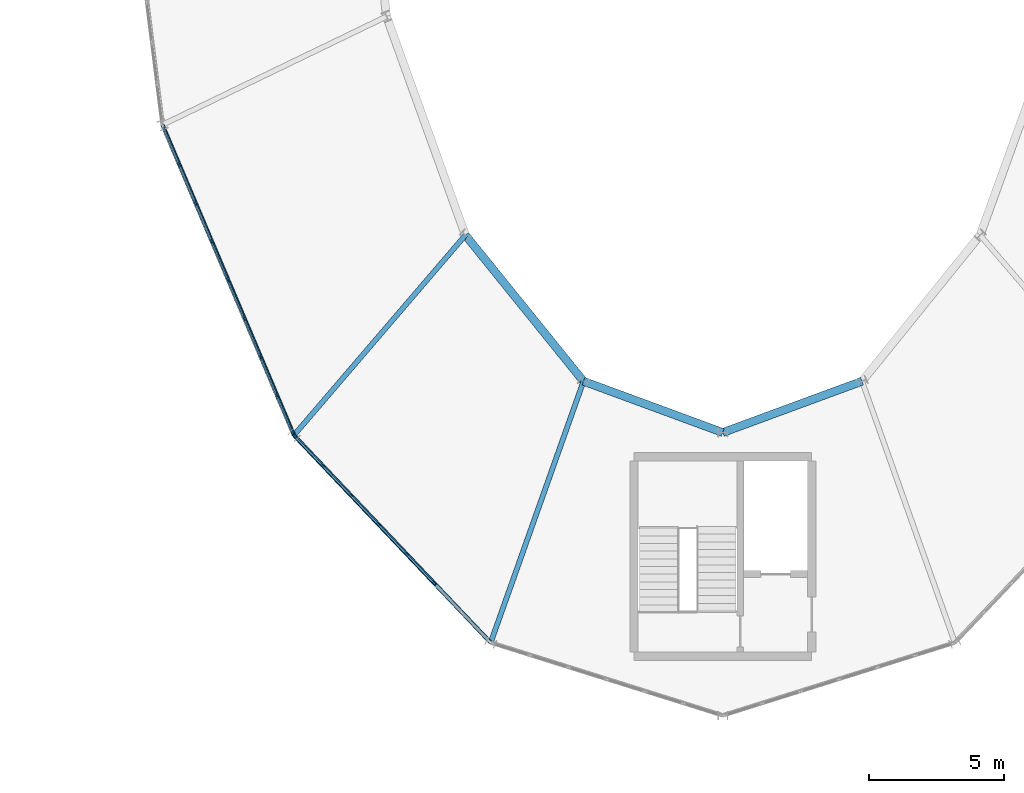
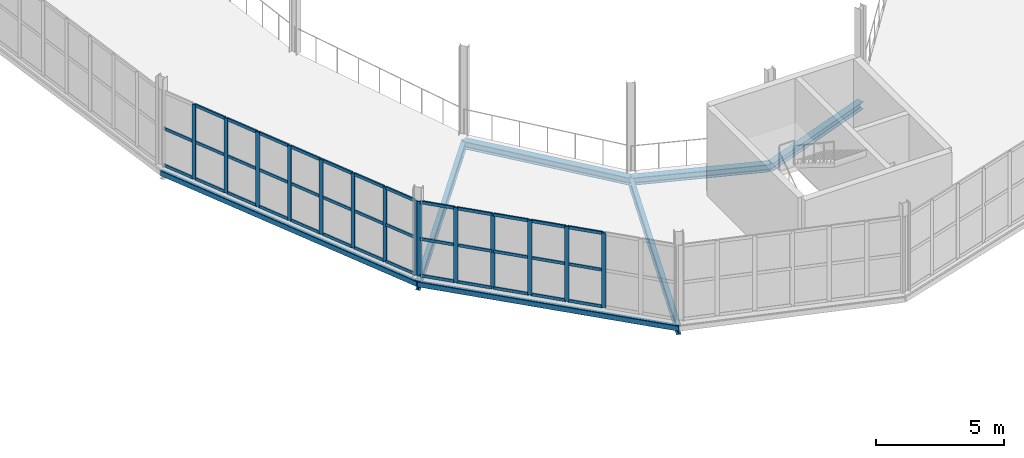
# One storey, part 82 of 161: 52 members, 7 beams, 2 elements without a shape of their own.
"""IFC4 building model written with IfcOpenShell, lengths in metres."""

from ifc_helpers import new_model, si_unit, direction, frame, origin, origin_2d, place, context, subcontext, project, spatial, rectangle, hollow_rectangle, i_section, extrude, material, material_profile, profile_set, type_object, element, aggregate, save


model = new_model("IFC4")

# Units and contexts
model_context = context("Model", 3, precision=1e-05, world=origin(), true_north=direction((0.0, 1.0)))
body_context = subcontext(model_context, "Body", "Model", "MODEL_VIEW")
ifc_project = project(units=[si_unit("LENGTHUNIT", "METRE"), si_unit("AREAUNIT", "SQUARE_METRE"), si_unit("VOLUMEUNIT", "CUBIC_METRE"), si_unit("PLANEANGLEUNIT", "RADIAN"), si_unit("MASSUNIT", "GRAM", prefix="KILO")], contexts=[model_context])

# Site, building, storey
site_placement = place(None, origin())
site = spatial("IfcSite", under=ifc_project, at=site_placement, CompositionType="ELEMENT")
building_placement = place(site_placement, origin())
building = spatial("IfcBuilding", under=site, at=building_placement, Name="Kildeholm Park Wholesale Market", CompositionType="ELEMENT")
storey_placement = place(building_placement, frame((0.0, 0.0, 5.39990234375)))
storey = spatial("IfcBuildingStorey", under=building, at=storey_placement, Name="L01", CompositionType="ELEMENT", Elevation=5.39990234375)

# Beams
ifc_material_1 = material(Name="Steel S355", Category="steel")
ifc_material_profile_1 = material_profile(ifc_material_1, i_section(OverallWidth=0.18994140625, OverallDepth=0.449951171875, WebThickness=0.009521484375, FlangeThickness=0.0146484375, FilletRadius=0.02099609375, at=origin_2d()), Name="IPE 450")
ifc_profile_set_1 = profile_set([ifc_material_profile_1], Name="Steel S355")
beam_type_1 = type_object("IfcBeamType", Name="Beam B-P02 IPE 450", PredefinedType="BEAM", material=ifc_profile_set_1)
beam_1_placement = place(storey_placement, frame((178.4541015625, 76.822021484375, -0.48486328125), z_axis=(-0.650822214859, -0.75923016579, 0.0), x_axis=(0.75923016579, -0.650822214859, 0.0)))
element("IfcBeam", 1, at=beam_1_placement, inside=storey, type_object=beam_type_1, Name="Beam BM-V2-L01-R-10 BM-0431", PredefinedType="BEAM", context=body_context, shape_type="SweptSolid", body=[
    extrude(i_section(OverallWidth=0.18994140625, OverallDepth=0.449951171875, WebThickness=0.009521484375, FlangeThickness=0.0146484375, FilletRadius=0.02099609375, at=origin_2d()), origin(), (0.0, 0.0, 1.0), 9.7783203125),
])
beam_2_placement = place(storey_placement, frame((182.833984375, 71.403076171875, -0.48486328125), z_axis=(-0.334560005007, -0.942374449489, 0.0), x_axis=(0.942374449489, -0.334560005007, 0.0)))
element("IfcBeam", 2, at=beam_2_placement, inside=storey, type_object=beam_type_1, Name="Beam BM-V2-L01-R-11 BM-0438", PredefinedType="BEAM", context=body_context, shape_type="SweptSolid", body=[
    extrude(i_section(OverallWidth=0.18994140625, OverallDepth=0.449951171875, WebThickness=0.009521484375, FlangeThickness=0.0146484375, FilletRadius=0.02099609375, at=origin_2d()), origin(), (0.0, 0.0, 1.0), 10.29443359375),
])
ifc_material_profile_2 = material_profile(ifc_material_1, i_section(OverallWidth=0.300048828125, OverallDepth=0.35009765625, WebThickness=0.010009765625, FlangeThickness=0.017578125, FilletRadius=0.027099609375, at=origin_2d()), Name="HEA 360")
ifc_profile_set_2 = profile_set([ifc_material_profile_2], Name="Steel S355")
beam_type_2 = type_object("IfcBeamType", Name="Beam B-R01 HEA 360", PredefinedType="BEAM", material=ifc_profile_set_2)
beam_3_placement = place(storey_placement, frame((178.4541015625, 76.822021484375, -0.434814453125), z_axis=(0.628601322688, -0.777727701136, 0.0), x_axis=(0.777727701136, 0.628601322688, 0.0)))
element("IfcBeam", 3, at=beam_3_placement, inside=storey, type_object=beam_type_2, Name="Beam BM-V2-L01-CI-10 BM-0433", PredefinedType="BEAM", context=body_context, shape_type="SweptSolid", body=[
    extrude(i_section(OverallWidth=0.300048828125, OverallDepth=0.35009765625, WebThickness=0.010009765625, FlangeThickness=0.017578125, FilletRadius=0.027099609375, at=origin_2d()), origin(), (0.0, 0.0, 1.0), 6.9677734375),
])
for number, where, z_axis, x_axis, name in (
    (4, (182.833984375, 71.403076171875, -0.434814453125), (0.93835447313, -0.345674532989, 0.0), (0.345674532989, 0.93835447313, 0.0), "Beam BM-V2-L01-CI-11 BM-0440"),
    (5, (188.0, 69.5, -0.434814453125), (0.93835447313, 0.345674532989, 0.0), (-0.345674532989, 0.93835447313, 0.0), "Beam BM-V2-L01-CI-12 BM-0445"),
):
    element("IfcBeam", number, at=place(storey_placement, frame(where, z_axis=z_axis, x_axis=x_axis)), inside=storey, type_object=beam_type_2, Name=name, PredefinedType="BEAM", context=body_context, shape_type="SweptSolid", body=[
        extrude(i_section(OverallWidth=0.300048828125, OverallDepth=0.35009765625, WebThickness=0.010009765625, FlangeThickness=0.017578125, FilletRadius=0.027099609375, at=origin_2d()), origin(), (0.0, 0.0, 1.0), 5.50537109375),
    ])
ifc_material_profile_3 = material_profile(ifc_material_1, hollow_rectangle(XDim=0.14990234375, YDim=0.25, WallThickness=0.010009765625, InnerFilletRadius=0.010009765625, OuterFilletRadius=0.02001953125, at=origin_2d()), Name="RHS 250x150x10")
ifc_profile_set_3 = profile_set([ifc_material_profile_3], Name="Steel S355")
beam_type_3 = type_object("IfcBeamType", Name="Beam SP-02 RHS 250x150x10", PredefinedType="SPANDREL", material=ifc_profile_set_3)
beam_4_placement = place(storey_placement, frame((167.212890625, 80.9150390625, -0.385009765625), z_axis=(0.389950720924, -0.920835726528, 0.0), x_axis=(0.920835726528, 0.389950720924, 0.0)))
element("IfcBeam", 6, at=beam_4_placement, inside=storey, type_object=beam_type_3, Name="Beam BM-V2-L01-CO-09 BM-0427", PredefinedType="SPANDREL", context=body_context, shape_type="SweptSolid", body=[
    extrude(hollow_rectangle(XDim=0.14990234375, YDim=0.25, WallThickness=0.010009765625, InnerFilletRadius=0.010009765625, OuterFilletRadius=0.02001953125, at=origin_2d()), origin(), (0.0, 0.0, 1.0), 12.50732421875),
])
beam_5_placement = place(storey_placement, frame((172.090087890625, 69.39794921875, -0.385009765625), z_axis=(0.688182467753, -0.725537656554, 0.0), x_axis=(0.725537656554, 0.688182467753, 0.0)))
element("IfcBeam", 7, at=beam_5_placement, inside=storey, type_object=beam_type_3, Name="Beam BM-V2-L01-CO-10 BM-0434", PredefinedType="SPANDREL", context=body_context, shape_type="SweptSolid", body=[
    extrude(hollow_rectangle(XDim=0.14990234375, YDim=0.25, WallThickness=0.010009765625, InnerFilletRadius=0.010009765625, OuterFilletRadius=0.02001953125, at=origin_2d()), origin(), (0.0, 0.0, 1.0), 10.607421875),
])

# Curtain wall, members
ifc_material_2 = material(Name="Anodised aluminium and low-E double-glazed glass", Category="aluminium")
curtain_wall_type = type_object("IfcCurtainWallType", Name="Market hall glazed arcade stick curtain wall CW-01", PredefinedType="NOTDEFINED", material=ifc_material_2)
curtain_wall_1_placement = place(storey_placement, origin())
curtain_wall_1 = element("IfcCurtainWall", 8, at=curtain_wall_1_placement, inside=storey, type_object=curtain_wall_type, Name="Curtain wall CW-V2-L01-09 CW-0128", PredefinedType="NOTDEFINED")
ifc_material_3 = material(Name="Anodised aluminium", Category="aluminium")
ifc_material_profile_4 = material_profile(ifc_material_3, rectangle(XDim=0.06494140625, YDim=0.179931640625, at=origin_2d()), Name="CWM 65x180")
ifc_profile_set_4 = profile_set([ifc_material_profile_4], Name="Anodised aluminium")
member_type_1 = type_object("IfcMemberType", Name="Curtain-wall mullion CWM-1 CWM 65x180", PredefinedType="MULLION", material=ifc_profile_set_4)
member_1_placement = place(storey_placement, frame((167.829833984375, 79.443359375, 0.0), z_axis=(0.0, 0.0, 1.0), x_axis=(0.920855054668, 0.389905076002, 0.0)))
member_1 = element("IfcMember", 9, at=member_1_placement, type_object=member_type_1, Name="CW-01 mullion 2 MEM-3934", PredefinedType="MULLION", context=body_context, shape_type="SweptSolid", body=[
    extrude(rectangle(XDim=0.06494140625, YDim=0.179931640625, at=origin_2d()), origin(), (0.0, 0.0, 1.0), 3.550048828125),
])
member_2_placement = place(storey_placement, frame((168.435546875, 78.0126953125, 0.0), z_axis=(0.0, 0.0, 1.0), x_axis=(0.920855054668, 0.389905076002, 0.0)))
member_2 = element("IfcMember", 10, at=member_2_placement, type_object=member_type_1, Name="CW-01 mullion 3 MEM-3935", PredefinedType="MULLION", context=body_context, shape_type="SweptSolid", body=[
    extrude(rectangle(XDim=0.06494140625, YDim=0.179931640625, at=origin_2d()), origin(), (0.0, 0.0, 1.0), 3.550048828125),
])
member_3_placement = place(storey_placement, frame((169.041259765625, 76.58203125, 0.0), z_axis=(0.0, 0.0, 1.0), x_axis=(0.920855054668, 0.389905076002, 0.0)))
member_3 = element("IfcMember", 11, at=member_3_placement, type_object=member_type_1, Name="CW-01 mullion 4 MEM-3936", PredefinedType="MULLION", context=body_context, shape_type="SweptSolid", body=[
    extrude(rectangle(XDim=0.06494140625, YDim=0.179931640625, at=origin_2d()), origin(), (0.0, 0.0, 1.0), 3.550048828125),
])
member_4_placement = place(storey_placement, frame((169.64697265625, 75.151611328125, 0.0), z_axis=(0.0, 0.0, 1.0), x_axis=(0.920855054668, 0.389905076002, 0.0)))
member_4 = element("IfcMember", 12, at=member_4_placement, type_object=member_type_1, Name="CW-01 mullion 5 MEM-3937", PredefinedType="MULLION", context=body_context, shape_type="SweptSolid", body=[
    extrude(rectangle(XDim=0.06494140625, YDim=0.179931640625, at=origin_2d()), origin(), (0.0, 0.0, 1.0), 3.550048828125),
])
member_5_placement = place(storey_placement, frame((170.252685546875, 73.720947265625, 0.0), z_axis=(0.0, 0.0, 1.0), x_axis=(0.920855054668, 0.389905076002, 0.0)))
member_5 = element("IfcMember", 13, at=member_5_placement, type_object=member_type_1, Name="CW-01 mullion 6 MEM-3938", PredefinedType="MULLION", context=body_context, shape_type="SweptSolid", body=[
    extrude(rectangle(XDim=0.06494140625, YDim=0.179931640625, at=origin_2d()), origin(), (0.0, 0.0, 1.0), 3.550048828125),
])
member_6_placement = place(storey_placement, frame((170.8583984375, 72.290283203125, 0.0), z_axis=(0.0, 0.0, 1.0), x_axis=(0.920855054668, 0.389905076002, 0.0)))
member_6 = element("IfcMember", 14, at=member_6_placement, type_object=member_type_1, Name="CW-01 mullion 7 MEM-3939", PredefinedType="MULLION", context=body_context, shape_type="SweptSolid", body=[
    extrude(rectangle(XDim=0.06494140625, YDim=0.179931640625, at=origin_2d()), origin(), (0.0, 0.0, 1.0), 3.550048828125),
])
member_7_placement = place(storey_placement, frame((171.46435546875, 70.859619140625, 0.0), z_axis=(0.0, 0.0, 1.0), x_axis=(0.920855054668, 0.389905076002, 0.0)))
member_7 = element("IfcMember", 15, at=member_7_placement, type_object=member_type_1, Name="CW-01 mullion 8 MEM-3940", PredefinedType="MULLION", context=body_context, shape_type="SweptSolid", body=[
    extrude(rectangle(XDim=0.06494140625, YDim=0.179931640625, at=origin_2d()), origin(), (0.0, 0.0, 1.0), 3.550048828125),
])
member_8_placement = place(storey_placement, frame((172.057373046875, 69.458984375, 0.0), z_axis=(0.0, 0.0, 1.0), x_axis=(0.920855054668, 0.389905076002, 0.0)))
member_8 = element("IfcMember", 16, at=member_8_placement, type_object=member_type_1, Name="CW-01 mullion 9 MEM-3941", PredefinedType="MULLION", context=body_context, shape_type="SweptSolid", body=[
    extrude(rectangle(XDim=0.06494140625, YDim=0.179931640625, at=origin_2d()), origin(), (0.0, 0.0, 1.0), 3.550048828125),
])

curtain_wall_2_placement = place(storey_placement, origin())
curtain_wall_2 = element("IfcCurtainWall", 17, at=curtain_wall_2_placement, inside=storey, type_object=curtain_wall_type, Name="Curtain wall CW-V2-L01-10 CW-0129", PredefinedType="NOTDEFINED")
member_9_placement = place(storey_placement, frame((172.136474609375, 69.33740234375, 0.0), z_axis=(0.0, 0.0, 1.0), x_axis=(0.725570701078, 0.688147627866, 0.0)))
member_9 = element("IfcMember", 18, at=member_9_placement, type_object=member_type_1, Name="CW-01 mullion 1 MEM-3966", PredefinedType="MULLION", context=body_context, shape_type="SweptSolid", body=[
    extrude(rectangle(XDim=0.06494140625, YDim=0.179931640625, at=origin_2d()), origin(), (0.0, 0.0, 1.0), 3.550048828125),
])
member_10_placement = place(storey_placement, frame((173.14892578125, 68.269775390625, 0.0), z_axis=(0.0, 0.0, 1.0), x_axis=(0.725570701078, 0.688147627866, 0.0)))
member_10 = element("IfcMember", 19, at=member_10_placement, type_object=member_type_1, Name="CW-01 mullion 2 MEM-3967", PredefinedType="MULLION", context=body_context, shape_type="SweptSolid", body=[
    extrude(rectangle(XDim=0.06494140625, YDim=0.179931640625, at=origin_2d()), origin(), (0.0, 0.0, 1.0), 3.550048828125),
])
member_11_placement = place(storey_placement, frame((174.18408203125, 67.178466796875, 0.0), z_axis=(0.0, 0.0, 1.0), x_axis=(0.725570701078, 0.688147627866, 0.0)))
member_11 = element("IfcMember", 20, at=member_11_placement, type_object=member_type_1, Name="CW-01 mullion 3 MEM-3968", PredefinedType="MULLION", context=body_context, shape_type="SweptSolid", body=[
    extrude(rectangle(XDim=0.06494140625, YDim=0.179931640625, at=origin_2d()), origin(), (0.0, 0.0, 1.0), 3.550048828125),
])
member_12_placement = place(storey_placement, frame((175.218994140625, 66.087158203125, 0.0), z_axis=(0.0, 0.0, 1.0), x_axis=(0.725570701078, 0.688147627866, 0.0)))
member_12 = element("IfcMember", 21, at=member_12_placement, type_object=member_type_1, Name="CW-01 mullion 4 MEM-3969", PredefinedType="MULLION", context=body_context, shape_type="SweptSolid", body=[
    extrude(rectangle(XDim=0.06494140625, YDim=0.179931640625, at=origin_2d()), origin(), (0.0, 0.0, 1.0), 3.550048828125),
])
member_13_placement = place(storey_placement, frame((176.25390625, 64.995849609375, 0.0), z_axis=(0.0, 0.0, 1.0), x_axis=(0.725570701078, 0.688147627866, 0.0)))
member_13 = element("IfcMember", 22, at=member_13_placement, type_object=member_type_1, Name="CW-01 mullion 5 MEM-3970", PredefinedType="MULLION", context=body_context, shape_type="SweptSolid", body=[
    extrude(rectangle(XDim=0.06494140625, YDim=0.179931640625, at=origin_2d()), origin(), (0.0, 0.0, 1.0), 3.550048828125),
])
member_14_placement = place(storey_placement, frame((177.2890625, 63.904541015625, 0.0), z_axis=(0.0, 0.0, 1.0), x_axis=(0.725570701078, 0.688147627866, 0.0)))
member_14 = element("IfcMember", 23, at=member_14_placement, type_object=member_type_1, Name="CW-01 mullion 6 MEM-3971", PredefinedType="MULLION", context=body_context, shape_type="SweptSolid", body=[
    extrude(rectangle(XDim=0.06494140625, YDim=0.179931640625, at=origin_2d()), origin(), (0.0, 0.0, 1.0), 3.550048828125),
])

# Member
ifc_material_profile_5 = material_profile(ifc_material_3, rectangle(XDim=0.06494140625, YDim=0.139892578125, at=origin_2d()), Name="CWT 65x140")
ifc_profile_set_5 = profile_set([ifc_material_profile_5], Name="Anodised aluminium")
member_type_2 = type_object("IfcMemberType", Name="Curtain-wall transom CWT-1 CWT 65x140", PredefinedType="USERDEFINED", material=ifc_profile_set_5)
member_15_placement = place(storey_placement, frame((167.249267578125, 80.814208984375, 0.03271484375), z_axis=(0.389990019704, -0.920819083497, 0.0), x_axis=(0.920819083497, 0.389990019704, 0.0)))
member_15 = element("IfcMember", 24, at=member_15_placement, type_object=member_type_2, Name="CW-01 transom 1.1 MEM-3942", ObjectType="TRANSOM", PredefinedType="USERDEFINED", context=body_context, shape_type="SweptSolid", body=[
    extrude(rectangle(XDim=0.06494140625, YDim=0.139892578125, at=origin_2d()), origin(), (0.0, 0.0, 1.0), 1.4560546875),
])

member_16_placement = place(storey_placement, frame((167.249267578125, 80.814208984375, 1.775146484375), z_axis=(0.389990019704, -0.920819083497, 0.0), x_axis=(0.920819083497, 0.389990019704, 0.0)))
member_16 = element("IfcMember", 25, at=member_16_placement, type_object=member_type_2, Name="CW-01 transom 1.2 MEM-3943", ObjectType="TRANSOM", PredefinedType="USERDEFINED", context=body_context, shape_type="SweptSolid", body=[
    extrude(rectangle(XDim=0.06494140625, YDim=0.139892578125, at=origin_2d()), origin(), (0.0, 0.0, 1.0), 1.4560546875),
])

member_17_placement = place(storey_placement, frame((167.842529296875, 79.413330078125, 0.03271484375), z_axis=(0.389896824033, -0.920858548643, 0.0), x_axis=(0.920858548643, 0.389896824033, 0.0)))
member_17 = element("IfcMember", 26, at=member_17_placement, type_object=member_type_2, Name="CW-01 transom 2.1 MEM-3945", ObjectType="TRANSOM", PredefinedType="USERDEFINED", context=body_context, shape_type="SweptSolid", body=[
    extrude(rectangle(XDim=0.06494140625, YDim=0.139892578125, at=origin_2d()), origin(), (0.0, 0.0, 1.0), 1.48828125),
])

member_18_placement = place(storey_placement, frame((167.842529296875, 79.413330078125, 1.775146484375), z_axis=(0.389896824033, -0.920858548643, 0.0), x_axis=(0.920858548643, 0.389896824033, 0.0)))
member_18 = element("IfcMember", 27, at=member_18_placement, type_object=member_type_2, Name="CW-01 transom 2.2 MEM-3946", ObjectType="TRANSOM", PredefinedType="USERDEFINED", context=body_context, shape_type="SweptSolid", body=[
    extrude(rectangle(XDim=0.06494140625, YDim=0.139892578125, at=origin_2d()), origin(), (0.0, 0.0, 1.0), 1.48828125),
])

member_19_placement = place(storey_placement, frame((167.842529296875, 79.413330078125, 3.517578125), z_axis=(0.389896824033, -0.920858548643, 0.0), x_axis=(0.920858548643, 0.389896824033, 0.0)))
member_19 = element("IfcMember", 28, at=member_19_placement, type_object=member_type_2, Name="CW-01 transom 2.3 MEM-3947", ObjectType="TRANSOM", PredefinedType="USERDEFINED", context=body_context, shape_type="SweptSolid", body=[
    extrude(rectangle(XDim=0.06494140625, YDim=0.139892578125, at=origin_2d()), origin(), (0.0, 0.0, 1.0), 1.48828125),
])

member_20_placement = place(storey_placement, frame((168.4482421875, 77.98291015625, 0.03271484375), z_axis=(0.389837939204, -0.920883478599, 0.0), x_axis=(0.920883478599, 0.389837939204, 0.0)))
member_20 = element("IfcMember", 29, at=member_20_placement, type_object=member_type_2, Name="CW-01 transom 3.1 MEM-3948", ObjectType="TRANSOM", PredefinedType="USERDEFINED", context=body_context, shape_type="SweptSolid", body=[
    extrude(rectangle(XDim=0.06494140625, YDim=0.139892578125, at=origin_2d()), origin(), (0.0, 0.0, 1.0), 1.488525390625),
])

member_21_placement = place(storey_placement, frame((168.4482421875, 77.98291015625, 1.775146484375), z_axis=(0.389837939204, -0.920883478599, 0.0), x_axis=(0.920883478599, 0.389837939204, 0.0)))
member_21 = element("IfcMember", 30, at=member_21_placement, type_object=member_type_2, Name="CW-01 transom 3.2 MEM-3949", ObjectType="TRANSOM", PredefinedType="USERDEFINED", context=body_context, shape_type="SweptSolid", body=[
    extrude(rectangle(XDim=0.06494140625, YDim=0.139892578125, at=origin_2d()), origin(), (0.0, 0.0, 1.0), 1.488525390625),
])

member_22_placement = place(storey_placement, frame((168.4482421875, 77.98291015625, 3.517578125), z_axis=(0.389837939204, -0.920883478599, 0.0), x_axis=(0.920883478599, 0.389837939204, 0.0)))
member_22 = element("IfcMember", 31, at=member_22_placement, type_object=member_type_2, Name="CW-01 transom 3.3 MEM-3950", ObjectType="TRANSOM", PredefinedType="USERDEFINED", context=body_context, shape_type="SweptSolid", body=[
    extrude(rectangle(XDim=0.06494140625, YDim=0.139892578125, at=origin_2d()), origin(), (0.0, 0.0, 1.0), 1.488525390625),
])

member_23_placement = place(storey_placement, frame((169.053955078125, 76.55224609375, 0.03271484375), z_axis=(0.389837939204, -0.920883478599, 0.0), x_axis=(0.920883478599, 0.389837939204, 0.0)))
member_23 = element("IfcMember", 32, at=member_23_placement, type_object=member_type_2, Name="CW-01 transom 4.1 MEM-3951", ObjectType="TRANSOM", PredefinedType="USERDEFINED", context=body_context, shape_type="SweptSolid", body=[
    extrude(rectangle(XDim=0.06494140625, YDim=0.139892578125, at=origin_2d()), origin(), (0.0, 0.0, 1.0), 1.488525390625),
])

member_24_placement = place(storey_placement, frame((169.053955078125, 76.55224609375, 1.775146484375), z_axis=(0.389837939204, -0.920883478599, 0.0), x_axis=(0.920883478599, 0.389837939204, 0.0)))
member_24 = element("IfcMember", 33, at=member_24_placement, type_object=member_type_2, Name="CW-01 transom 4.2 MEM-3952", ObjectType="TRANSOM", PredefinedType="USERDEFINED", context=body_context, shape_type="SweptSolid", body=[
    extrude(rectangle(XDim=0.06494140625, YDim=0.139892578125, at=origin_2d()), origin(), (0.0, 0.0, 1.0), 1.488525390625),
])

member_25_placement = place(storey_placement, frame((169.053955078125, 76.55224609375, 3.517578125), z_axis=(0.389837939204, -0.920883478599, 0.0), x_axis=(0.920883478599, 0.389837939204, 0.0)))
member_25 = element("IfcMember", 34, at=member_25_placement, type_object=member_type_2, Name="CW-01 transom 4.3 MEM-3953", ObjectType="TRANSOM", PredefinedType="USERDEFINED", context=body_context, shape_type="SweptSolid", body=[
    extrude(rectangle(XDim=0.06494140625, YDim=0.139892578125, at=origin_2d()), origin(), (0.0, 0.0, 1.0), 1.488525390625),
])

member_26_placement = place(storey_placement, frame((169.65966796875, 75.12158203125, 0.03271484375), z_axis=(0.389837939204, -0.920883478599, 0.0), x_axis=(0.920883478599, 0.389837939204, 0.0)))
member_26 = element("IfcMember", 35, at=member_26_placement, type_object=member_type_2, Name="CW-01 transom 5.1 MEM-3954", ObjectType="TRANSOM", PredefinedType="USERDEFINED", context=body_context, shape_type="SweptSolid", body=[
    extrude(rectangle(XDim=0.06494140625, YDim=0.139892578125, at=origin_2d()), origin(), (0.0, 0.0, 1.0), 1.488525390625),
])

member_27_placement = place(storey_placement, frame((169.65966796875, 75.12158203125, 1.775146484375), z_axis=(0.389837939204, -0.920883478599, 0.0), x_axis=(0.920883478599, 0.389837939204, 0.0)))
member_27 = element("IfcMember", 36, at=member_27_placement, type_object=member_type_2, Name="CW-01 transom 5.2 MEM-3955", ObjectType="TRANSOM", PredefinedType="USERDEFINED", context=body_context, shape_type="SweptSolid", body=[
    extrude(rectangle(XDim=0.06494140625, YDim=0.139892578125, at=origin_2d()), origin(), (0.0, 0.0, 1.0), 1.488525390625),
])

member_28_placement = place(storey_placement, frame((169.65966796875, 75.12158203125, 3.517578125), z_axis=(0.389837939204, -0.920883478599, 0.0), x_axis=(0.920883478599, 0.389837939204, 0.0)))
member_28 = element("IfcMember", 37, at=member_28_placement, type_object=member_type_2, Name="CW-01 transom 5.3 MEM-3956", ObjectType="TRANSOM", PredefinedType="USERDEFINED", context=body_context, shape_type="SweptSolid", body=[
    extrude(rectangle(XDim=0.06494140625, YDim=0.139892578125, at=origin_2d()), origin(), (0.0, 0.0, 1.0), 1.488525390625),
])

member_29_placement = place(storey_placement, frame((170.265380859375, 73.69091796875, 0.03271484375), z_axis=(0.389977005738, -0.92082459513, 0.0), x_axis=(0.92082459513, 0.389977005738, 0.0)))
member_29 = element("IfcMember", 38, at=member_29_placement, type_object=member_type_2, Name="CW-01 transom 6.1 MEM-3957", ObjectType="TRANSOM", PredefinedType="USERDEFINED", context=body_context, shape_type="SweptSolid", body=[
    extrude(rectangle(XDim=0.06494140625, YDim=0.139892578125, at=origin_2d()), origin(), (0.0, 0.0, 1.0), 1.48876953125),
])

member_30_placement = place(storey_placement, frame((170.265380859375, 73.69091796875, 1.775146484375), z_axis=(0.389977005738, -0.92082459513, 0.0), x_axis=(0.92082459513, 0.389977005738, 0.0)))
member_30 = element("IfcMember", 39, at=member_30_placement, type_object=member_type_2, Name="CW-01 transom 6.2 MEM-3958", ObjectType="TRANSOM", PredefinedType="USERDEFINED", context=body_context, shape_type="SweptSolid", body=[
    extrude(rectangle(XDim=0.06494140625, YDim=0.139892578125, at=origin_2d()), origin(), (0.0, 0.0, 1.0), 1.48876953125),
])

member_31_placement = place(storey_placement, frame((170.265380859375, 73.69091796875, 3.517578125), z_axis=(0.389977005738, -0.92082459513, 0.0), x_axis=(0.92082459513, 0.389977005738, 0.0)))
member_31 = element("IfcMember", 40, at=member_31_placement, type_object=member_type_2, Name="CW-01 transom 6.3 MEM-3959", ObjectType="TRANSOM", PredefinedType="USERDEFINED", context=body_context, shape_type="SweptSolid", body=[
    extrude(rectangle(XDim=0.06494140625, YDim=0.139892578125, at=origin_2d()), origin(), (0.0, 0.0, 1.0), 1.48876953125),
])

member_32_placement = place(storey_placement, frame((170.87109375, 72.26025390625, 0.03271484375), z_axis=(0.390035904039, -0.920799648979, 0.0), x_axis=(0.920799648979, 0.390035904039, 0.0)))
member_32 = element("IfcMember", 41, at=member_32_placement, type_object=member_type_2, Name="CW-01 transom 7.1 MEM-3960", ObjectType="TRANSOM", PredefinedType="USERDEFINED", context=body_context, shape_type="SweptSolid", body=[
    extrude(rectangle(XDim=0.06494140625, YDim=0.139892578125, at=origin_2d()), origin(), (0.0, 0.0, 1.0), 1.488525390625),
])

member_33_placement = place(storey_placement, frame((170.87109375, 72.26025390625, 1.775146484375), z_axis=(0.390035904039, -0.920799648979, 0.0), x_axis=(0.920799648979, 0.390035904039, 0.0)))
member_33 = element("IfcMember", 42, at=member_33_placement, type_object=member_type_2, Name="CW-01 transom 7.2 MEM-3961", ObjectType="TRANSOM", PredefinedType="USERDEFINED", context=body_context, shape_type="SweptSolid", body=[
    extrude(rectangle(XDim=0.06494140625, YDim=0.139892578125, at=origin_2d()), origin(), (0.0, 0.0, 1.0), 1.488525390625),
])

member_34_placement = place(storey_placement, frame((170.87109375, 72.26025390625, 3.517578125), z_axis=(0.390035904039, -0.920799648979, 0.0), x_axis=(0.920799648979, 0.390035904039, 0.0)))
member_34 = element("IfcMember", 43, at=member_34_placement, type_object=member_type_2, Name="CW-01 transom 7.3 MEM-3962", ObjectType="TRANSOM", PredefinedType="USERDEFINED", context=body_context, shape_type="SweptSolid", body=[
    extrude(rectangle(XDim=0.06494140625, YDim=0.139892578125, at=origin_2d()), origin(), (0.0, 0.0, 1.0), 1.488525390625),
])

member_35_placement = place(storey_placement, frame((171.476806640625, 70.82958984375, 0.03271484375), z_axis=(0.389990019704, -0.920819083497, 0.0), x_axis=(0.920819083497, 0.389990019704, 0.0)))
member_35 = element("IfcMember", 44, at=member_35_placement, type_object=member_type_2, Name="CW-01 transom 8.1 MEM-3963", ObjectType="TRANSOM", PredefinedType="USERDEFINED", context=body_context, shape_type="SweptSolid", body=[
    extrude(rectangle(XDim=0.06494140625, YDim=0.139892578125, at=origin_2d()), origin(), (0.0, 0.0, 1.0), 1.4560546875),
])

member_36_placement = place(storey_placement, frame((171.476806640625, 70.82958984375, 1.775146484375), z_axis=(0.389990019704, -0.920819083497, 0.0), x_axis=(0.920819083497, 0.389990019704, 0.0)))
member_36 = element("IfcMember", 45, at=member_36_placement, type_object=member_type_2, Name="CW-01 transom 8.2 MEM-3964", ObjectType="TRANSOM", PredefinedType="USERDEFINED", context=body_context, shape_type="SweptSolid", body=[
    extrude(rectangle(XDim=0.06494140625, YDim=0.139892578125, at=origin_2d()), origin(), (0.0, 0.0, 1.0), 1.4560546875),
])

member_37_placement = place(storey_placement, frame((171.476806640625, 70.82958984375, 3.517578125), z_axis=(0.389990019704, -0.920819083497, 0.0), x_axis=(0.920819083497, 0.389990019704, 0.0)))
member_37 = element("IfcMember", 46, at=member_37_placement, type_object=member_type_2, Name="CW-01 transom 8.3 MEM-3965", ObjectType="TRANSOM", PredefinedType="USERDEFINED", context=body_context, shape_type="SweptSolid", body=[
    extrude(rectangle(XDim=0.06494140625, YDim=0.139892578125, at=origin_2d()), origin(), (0.0, 0.0, 1.0), 1.4560546875),
])

aggregate(curtain_wall_1, [member_1, member_2, member_3, member_4, member_5, member_6, member_7, member_8, member_15, member_16, member_17, member_18, member_19, member_20, member_21, member_22, member_23, member_24, member_25, member_26, member_27, member_28, member_29, member_30, member_31, member_32, member_33, member_34, member_35, member_36, member_37])

member_38_placement = place(storey_placement, frame((172.15869140625, 69.313720703125, 0.03271484375), z_axis=(0.688201872594, -0.725519250301, 0.0), x_axis=(0.725519250301, 0.688201872594, 0.0)))
member_38 = element("IfcMember", 47, at=member_38_placement, type_object=member_type_2, Name="CW-01 transom 1.1 MEM-3974", ObjectType="TRANSOM", PredefinedType="USERDEFINED", context=body_context, shape_type="SweptSolid", body=[
    extrude(rectangle(XDim=0.06494140625, YDim=0.139892578125, at=origin_2d()), origin(), (0.0, 0.0, 1.0), 1.406494140625),
])

member_39_placement = place(storey_placement, frame((172.15869140625, 69.313720703125, 1.775146484375), z_axis=(0.688201872594, -0.725519250301, 0.0), x_axis=(0.725519250301, 0.688201872594, 0.0)))
member_39 = element("IfcMember", 48, at=member_39_placement, type_object=member_type_2, Name="CW-01 transom 1.2 MEM-3975", ObjectType="TRANSOM", PredefinedType="USERDEFINED", context=body_context, shape_type="SweptSolid", body=[
    extrude(rectangle(XDim=0.06494140625, YDim=0.139892578125, at=origin_2d()), origin(), (0.0, 0.0, 1.0), 1.406494140625),
])

member_40_placement = place(storey_placement, frame((172.15869140625, 69.313720703125, 3.517578125), z_axis=(0.688201872594, -0.725519250301, 0.0), x_axis=(0.725519250301, 0.688201872594, 0.0)))
member_40 = element("IfcMember", 49, at=member_40_placement, type_object=member_type_2, Name="CW-01 transom 1.3 MEM-3976", ObjectType="TRANSOM", PredefinedType="USERDEFINED", context=body_context, shape_type="SweptSolid", body=[
    extrude(rectangle(XDim=0.06494140625, YDim=0.139892578125, at=origin_2d()), origin(), (0.0, 0.0, 1.0), 1.406494140625),
])

member_41_placement = place(storey_placement, frame((173.17138671875, 68.24609375, 0.03271484375), z_axis=(0.688111604376, -0.72560486487, 0.0), x_axis=(0.72560486487, 0.688111604376, 0.0)))
member_41 = element("IfcMember", 50, at=member_41_placement, type_object=member_type_2, Name="CW-01 transom 2.1 MEM-3977", ObjectType="TRANSOM", PredefinedType="USERDEFINED", context=body_context, shape_type="SweptSolid", body=[
    extrude(rectangle(XDim=0.06494140625, YDim=0.139892578125, at=origin_2d()), origin(), (0.0, 0.0, 1.0), 1.43896484375),
])

member_42_placement = place(storey_placement, frame((173.17138671875, 68.24609375, 1.775146484375), z_axis=(0.688111604376, -0.72560486487, 0.0), x_axis=(0.72560486487, 0.688111604376, 0.0)))
member_42 = element("IfcMember", 51, at=member_42_placement, type_object=member_type_2, Name="CW-01 transom 2.2 MEM-3978", ObjectType="TRANSOM", PredefinedType="USERDEFINED", context=body_context, shape_type="SweptSolid", body=[
    extrude(rectangle(XDim=0.06494140625, YDim=0.139892578125, at=origin_2d()), origin(), (0.0, 0.0, 1.0), 1.43896484375),
])

member_43_placement = place(storey_placement, frame((173.17138671875, 68.24609375, 3.517578125), z_axis=(0.688111604376, -0.72560486487, 0.0), x_axis=(0.72560486487, 0.688111604376, 0.0)))
member_43 = element("IfcMember", 52, at=member_43_placement, type_object=member_type_2, Name="CW-01 transom 2.3 MEM-3979", ObjectType="TRANSOM", PredefinedType="USERDEFINED", context=body_context, shape_type="SweptSolid", body=[
    extrude(rectangle(XDim=0.06494140625, YDim=0.139892578125, at=origin_2d()), origin(), (0.0, 0.0, 1.0), 1.43896484375),
])

member_44_placement = place(storey_placement, frame((174.206298828125, 67.15478515625, 0.03271484375), z_axis=(0.688196317251, -0.725524519863, 0.0), x_axis=(0.725524519863, 0.688196317251, 0.0)))
member_44 = element("IfcMember", 53, at=member_44_placement, type_object=member_type_2, Name="CW-01 transom 3.1 MEM-3980", ObjectType="TRANSOM", PredefinedType="USERDEFINED", context=body_context, shape_type="SweptSolid", body=[
    extrude(rectangle(XDim=0.06494140625, YDim=0.139892578125, at=origin_2d()), origin(), (0.0, 0.0, 1.0), 1.43896484375),
])

member_45_placement = place(storey_placement, frame((174.206298828125, 67.15478515625, 1.775146484375), z_axis=(0.688196317251, -0.725524519863, 0.0), x_axis=(0.725524519863, 0.688196317251, 0.0)))
member_45 = element("IfcMember", 54, at=member_45_placement, type_object=member_type_2, Name="CW-01 transom 3.2 MEM-3981", ObjectType="TRANSOM", PredefinedType="USERDEFINED", context=body_context, shape_type="SweptSolid", body=[
    extrude(rectangle(XDim=0.06494140625, YDim=0.139892578125, at=origin_2d()), origin(), (0.0, 0.0, 1.0), 1.43896484375),
])

member_46_placement = place(storey_placement, frame((174.206298828125, 67.15478515625, 3.517578125), z_axis=(0.688196317251, -0.725524519863, 0.0), x_axis=(0.725524519863, 0.688196317251, 0.0)))
member_46 = element("IfcMember", 55, at=member_46_placement, type_object=member_type_2, Name="CW-01 transom 3.3 MEM-3982", ObjectType="TRANSOM", PredefinedType="USERDEFINED", context=body_context, shape_type="SweptSolid", body=[
    extrude(rectangle(XDim=0.06494140625, YDim=0.139892578125, at=origin_2d()), origin(), (0.0, 0.0, 1.0), 1.43896484375),
])

member_47_placement = place(storey_placement, frame((175.241455078125, 66.0634765625, 0.03271484375), z_axis=(0.688196317251, -0.725524519863, 0.0), x_axis=(0.725524519863, 0.688196317251, 0.0)))
member_47 = element("IfcMember", 56, at=member_47_placement, type_object=member_type_2, Name="CW-01 transom 4.1 MEM-3983", ObjectType="TRANSOM", PredefinedType="USERDEFINED", context=body_context, shape_type="SweptSolid", body=[
    extrude(rectangle(XDim=0.06494140625, YDim=0.139892578125, at=origin_2d()), origin(), (0.0, 0.0, 1.0), 1.43896484375),
])

member_48_placement = place(storey_placement, frame((175.241455078125, 66.0634765625, 1.775146484375), z_axis=(0.688196317251, -0.725524519863, 0.0), x_axis=(0.725524519863, 0.688196317251, 0.0)))
member_48 = element("IfcMember", 57, at=member_48_placement, type_object=member_type_2, Name="CW-01 transom 4.2 MEM-3984", ObjectType="TRANSOM", PredefinedType="USERDEFINED", context=body_context, shape_type="SweptSolid", body=[
    extrude(rectangle(XDim=0.06494140625, YDim=0.139892578125, at=origin_2d()), origin(), (0.0, 0.0, 1.0), 1.43896484375),
])

member_49_placement = place(storey_placement, frame((175.241455078125, 66.0634765625, 3.517578125), z_axis=(0.688196317251, -0.725524519863, 0.0), x_axis=(0.725524519863, 0.688196317251, 0.0)))
member_49 = element("IfcMember", 58, at=member_49_placement, type_object=member_type_2, Name="CW-01 transom 4.3 MEM-3985", ObjectType="TRANSOM", PredefinedType="USERDEFINED", context=body_context, shape_type="SweptSolid", body=[
    extrude(rectangle(XDim=0.06494140625, YDim=0.139892578125, at=origin_2d()), origin(), (0.0, 0.0, 1.0), 1.43896484375),
])

member_50_placement = place(storey_placement, frame((176.2763671875, 64.97216796875, 0.03271484375), z_axis=(0.688196317251, -0.725524519863, 0.0), x_axis=(0.725524519863, 0.688196317251, 0.0)))
member_50 = element("IfcMember", 59, at=member_50_placement, type_object=member_type_2, Name="CW-01 transom 5.1 MEM-3986", ObjectType="TRANSOM", PredefinedType="USERDEFINED", context=body_context, shape_type="SweptSolid", body=[
    extrude(rectangle(XDim=0.06494140625, YDim=0.139892578125, at=origin_2d()), origin(), (0.0, 0.0, 1.0), 1.43896484375),
])

member_51_placement = place(storey_placement, frame((176.2763671875, 64.97216796875, 1.775146484375), z_axis=(0.688196317251, -0.725524519863, 0.0), x_axis=(0.725524519863, 0.688196317251, 0.0)))
member_51 = element("IfcMember", 60, at=member_51_placement, type_object=member_type_2, Name="CW-01 transom 5.2 MEM-3987", ObjectType="TRANSOM", PredefinedType="USERDEFINED", context=body_context, shape_type="SweptSolid", body=[
    extrude(rectangle(XDim=0.06494140625, YDim=0.139892578125, at=origin_2d()), origin(), (0.0, 0.0, 1.0), 1.43896484375),
])

member_52_placement = place(storey_placement, frame((176.2763671875, 64.97216796875, 3.517578125), z_axis=(0.688196317251, -0.725524519863, 0.0), x_axis=(0.725524519863, 0.688196317251, 0.0)))
member_52 = element("IfcMember", 61, at=member_52_placement, type_object=member_type_2, Name="CW-01 transom 5.3 MEM-3988", ObjectType="TRANSOM", PredefinedType="USERDEFINED", context=body_context, shape_type="SweptSolid", body=[
    extrude(rectangle(XDim=0.06494140625, YDim=0.139892578125, at=origin_2d()), origin(), (0.0, 0.0, 1.0), 1.43896484375),
])

aggregate(curtain_wall_2, [member_9, member_10, member_11, member_12, member_13, member_14, member_38, member_39, member_40, member_41, member_42, member_43, member_44, member_45, member_46, member_47, member_48, member_49, member_50, member_51, member_52])

save(model, "model.ifc")
